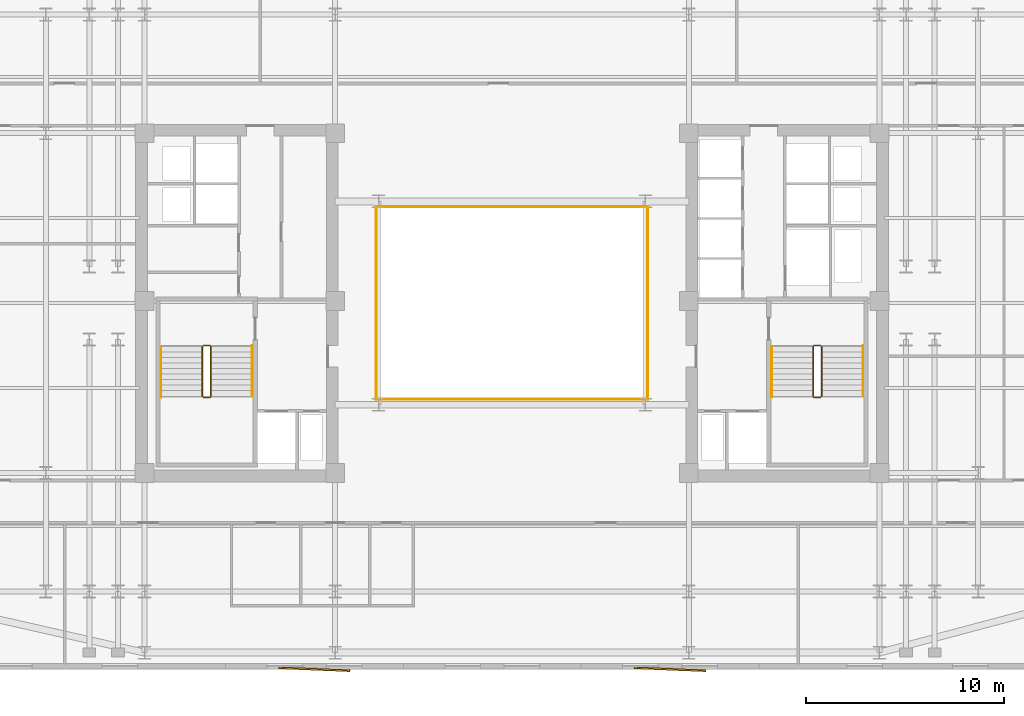
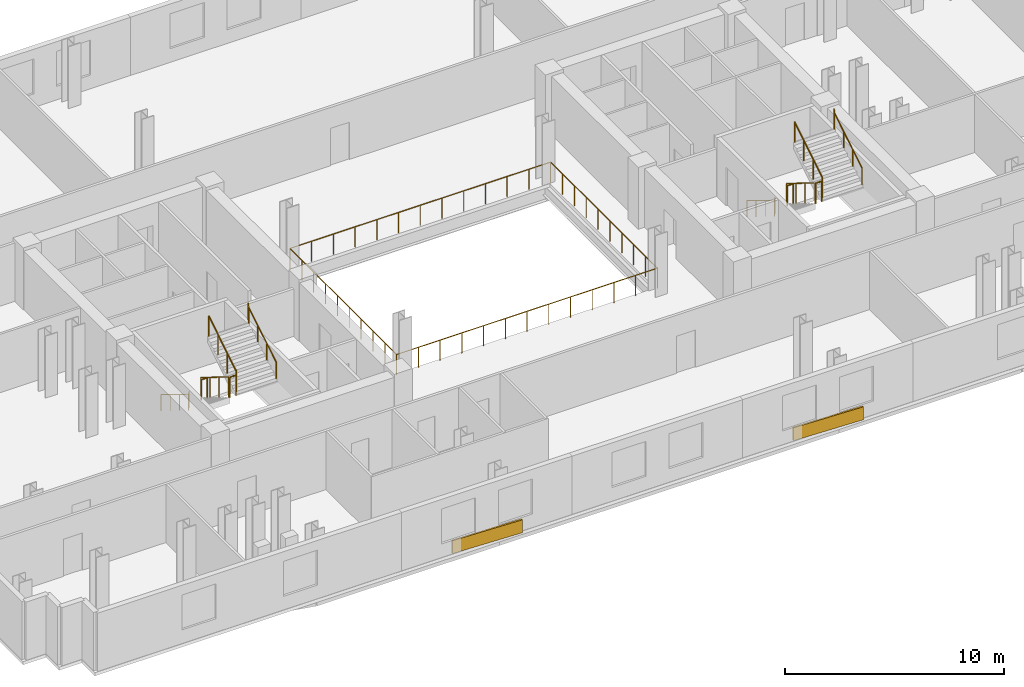
# One storey, part 9 of 10: 16 railings, 2 coverings.
"""IFC4 building model written with IfcOpenShell, lengths in metres."""

from ifc_helpers import new_model, si_unit, direction, frame, origin, origin_2d, place, context, subcontext, project, spatial, rectangle, circle, extrude, material, layer, layer_set, type_object, element, save


model = new_model("IFC4")

# Units and contexts
model_context = context("Model", 3, precision=1e-05, world=origin(), true_north=direction((0.0, 1.0)))
body_context = subcontext(model_context, "Body", "Model", "MODEL_VIEW")
ifc_project = project(units=[si_unit("LENGTHUNIT", "METRE"), si_unit("AREAUNIT", "SQUARE_METRE"), si_unit("VOLUMEUNIT", "CUBIC_METRE"), si_unit("PLANEANGLEUNIT", "RADIAN"), si_unit("MASSUNIT", "GRAM", prefix="KILO")], contexts=[model_context])

# Site, building, storey
site_placement = place(None, origin())
site = spatial("IfcSite", under=ifc_project, at=site_placement, CompositionType="ELEMENT")
building_placement = place(site_placement, origin())
building = spatial("IfcBuilding", under=site, at=building_placement, Name="Velakula Bourse", CompositionType="ELEMENT")
storey_placement = place(building_placement, frame((0.0, 0.0, 124.300048828125)))
storey = spatial("IfcBuildingStorey", under=building, at=storey_placement, Name="L33", CompositionType="ELEMENT", Elevation=124.300048828125)

# Coverings
ifc_material_1 = material(Name="Red kilned clay facing brick masonry", Category="masonry")
ifc_layer = layer(ifc_material_1, 0.090087890625, Name="Red kilned clay facing brick masonry", Category="masonry")
ifc_layer_set = layer_set([ifc_layer], Name="Red kilned clay facing brick masonry")
covering_type = type_object("IfcCoveringType", Name="COV-BRK-FOLD-90", PredefinedType="CLADDING", material=ifc_layer_set)
for number, where, z_axis, x_axis, name in (
    (1, (-10.0, -18.5400390625, 0.0), (0.0, 0.0, 1.0), (0.999158993058, -0.041003738744, 0.0), "L33 Folded Brick Facade Cladding Panel S-B2"),
    (2, (8.0, -18.5400390625, 0.0), (0.0, 0.0, 1.0), (0.999158993058, -0.041003738744, 0.0), "L33 Folded Brick Facade Cladding Panel S-B4"),
):
    element("IfcCovering", number, at=place(storey_placement, frame(where, z_axis=z_axis, x_axis=x_axis)), inside=storey, type_object=covering_type, Name=name, PredefinedType="CLADDING", context=body_context, shape_type="SweptSolid", body=[
        extrude(rectangle(XDim=3.60009765625, YDim=0.090087890625, at=origin_2d()), origin(), (0.0, 0.0, 1.0), 0.719970703125),
    ])

# Railings
ifc_material_2 = material(Name="Brushed grade 316 stainless steel", Category="steel")
railing_type_1 = type_object("IfcRailingType", Name="RLG-ATRIUM-1150", PredefinedType="BALUSTRADE", material=ifc_material_2)
railing_1_placement = place(storey_placement, frame((-6.8798828125, -4.8798828125, 0.0)))
element("IfcRailing", 3, at=railing_1_placement, inside=storey, type_object=railing_type_1, Name="L33 Central Trading Atrium Balustrade S", PredefinedType="BALUSTRADE", context=body_context, shape_type="SweptSolid", body=[
    extrude(circle(Radius=0.02392578125, at=origin_2d()), frame((0.0, 0.0, 1.1259765625), z_axis=(1.0, 0.0, 0.0), x_axis=(0.0, 1.0, 0.0)), (0.0, 0.0, 1.0), 13.759765625),
    extrude(circle(Radius=0.02099609375, at=origin_2d()), origin(), (0.0, 0.0, 1.0), 1.101806640625),
    extrude(circle(Radius=0.02099609375, at=origin_2d()), frame((1.146728515625, 0.0, 0.0)), (0.0, 0.0, 1.0), 1.101806640625),
    extrude(circle(Radius=0.02099609375, at=origin_2d()), frame((2.293212890625, 0.0, 0.0)), (0.0, 0.0, 1.0), 1.101806640625),
    extrude(circle(Radius=0.02099609375, at=origin_2d()), frame((3.43994140625, 0.0, 0.0)), (0.0, 0.0, 1.0), 1.101806640625),
    extrude(circle(Radius=0.02099609375, at=origin_2d()), frame((4.586669921875, 0.0, 0.0)), (0.0, 0.0, 1.0), 1.101806640625),
    extrude(circle(Radius=0.02099609375, at=origin_2d()), frame((5.733154296875, 0.0, 0.0)), (0.0, 0.0, 1.0), 1.101806640625),
    extrude(circle(Radius=0.02099609375, at=origin_2d()), frame((6.8798828125, 0.0, 0.0)), (0.0, 0.0, 1.0), 1.101806640625),
    extrude(circle(Radius=0.02099609375, at=origin_2d()), frame((8.026611328125, 0.0, 0.0)), (0.0, 0.0, 1.0), 1.101806640625),
    extrude(circle(Radius=0.02099609375, at=origin_2d()), frame((9.173095703125, 0.0, 0.0)), (0.0, 0.0, 1.0), 1.101806640625),
    extrude(circle(Radius=0.02099609375, at=origin_2d()), frame((10.31982421875, 0.0, 0.0)), (0.0, 0.0, 1.0), 1.101806640625),
    extrude(circle(Radius=0.02099609375, at=origin_2d()), frame((11.466552734375, 0.0, 0.0)), (0.0, 0.0, 1.0), 1.101806640625),
    extrude(circle(Radius=0.02099609375, at=origin_2d()), frame((12.613037109375, 0.0, 0.0)), (0.0, 0.0, 1.0), 1.101806640625),
    extrude(circle(Radius=0.02099609375, at=origin_2d()), frame((13.759765625, 0.0, 0.0)), (0.0, 0.0, 1.0), 1.101806640625),
])
railing_2_placement = place(storey_placement, frame((6.8798828125, -4.8798828125, 0.0)))
element("IfcRailing", 4, at=railing_2_placement, inside=storey, type_object=railing_type_1, Name="L33 Central Trading Atrium Balustrade E", PredefinedType="BALUSTRADE", context=body_context, shape_type="SweptSolid", body=[
    extrude(circle(Radius=0.02392578125, at=origin_2d()), frame((0.0, 0.0, 1.1259765625), z_axis=(0.0, 1.0, 0.0), x_axis=(-1.0, 0.0, 0.0)), (0.0, 0.0, 1.0), 9.759765625),
    extrude(circle(Radius=0.02099609375, at=origin_2d()), origin(), (0.0, 0.0, 1.0), 1.101806640625),
    extrude(circle(Radius=0.02099609375, at=origin_2d()), frame((0.0, 1.08447265625, 0.0)), (0.0, 0.0, 1.0), 1.101806640625),
    extrude(circle(Radius=0.02099609375, at=origin_2d()), frame((0.0, 2.1689453125, 0.0)), (0.0, 0.0, 1.0), 1.101806640625),
    extrude(circle(Radius=0.02099609375, at=origin_2d()), frame((0.0, 3.253173828125, 0.0)), (0.0, 0.0, 1.0), 1.101806640625),
    extrude(circle(Radius=0.02099609375, at=origin_2d()), frame((0.0, 4.337646484375, 0.0)), (0.0, 0.0, 1.0), 1.101806640625),
    extrude(circle(Radius=0.02099609375, at=origin_2d()), frame((0.0, 5.422119140625, 0.0)), (0.0, 0.0, 1.0), 1.101806640625),
    extrude(circle(Radius=0.02099609375, at=origin_2d()), frame((0.0, 6.506591796875, 0.0)), (0.0, 0.0, 1.0), 1.101806640625),
    extrude(circle(Radius=0.02099609375, at=origin_2d()), frame((0.0, 7.5908203125, 0.0)), (0.0, 0.0, 1.0), 1.101806640625),
    extrude(circle(Radius=0.02099609375, at=origin_2d()), frame((0.0, 8.67529296875, 0.0)), (0.0, 0.0, 1.0), 1.101806640625),
    extrude(circle(Radius=0.02099609375, at=origin_2d()), frame((0.0, 9.759765625, 0.0)), (0.0, 0.0, 1.0), 1.101806640625),
])
railing_3_placement = place(storey_placement, frame((6.8798828125, 4.8798828125, 0.0)))
element("IfcRailing", 5, at=railing_3_placement, inside=storey, type_object=railing_type_1, Name="L33 Central Trading Atrium Balustrade N", PredefinedType="BALUSTRADE", context=body_context, shape_type="SweptSolid", body=[
    extrude(circle(Radius=0.02392578125, at=origin_2d()), frame((0.0, 0.0, 1.1259765625), z_axis=(-1.0, 0.0, 0.0), x_axis=(0.0, -1.0, 0.0)), (0.0, 0.0, 1.0), 13.759765625),
    extrude(circle(Radius=0.02099609375, at=origin_2d()), origin(), (0.0, 0.0, 1.0), 1.101806640625),
    extrude(circle(Radius=0.02099609375, at=origin_2d()), frame((-1.146728515625, 0.0, 0.0)), (0.0, 0.0, 1.0), 1.101806640625),
    extrude(circle(Radius=0.02099609375, at=origin_2d()), frame((-2.293212890625, 0.0, 0.0)), (0.0, 0.0, 1.0), 1.101806640625),
    extrude(circle(Radius=0.02099609375, at=origin_2d()), frame((-3.43994140625, 0.0, 0.0)), (0.0, 0.0, 1.0), 1.101806640625),
    extrude(circle(Radius=0.02099609375, at=origin_2d()), frame((-4.586669921875, 0.0, 0.0)), (0.0, 0.0, 1.0), 1.101806640625),
    extrude(circle(Radius=0.02099609375, at=origin_2d()), frame((-5.733154296875, 0.0, 0.0)), (0.0, 0.0, 1.0), 1.101806640625),
    extrude(circle(Radius=0.02099609375, at=origin_2d()), frame((-6.8798828125, 0.0, 0.0)), (0.0, 0.0, 1.0), 1.101806640625),
    extrude(circle(Radius=0.02099609375, at=origin_2d()), frame((-8.026611328125, 0.0, 0.0)), (0.0, 0.0, 1.0), 1.101806640625),
    extrude(circle(Radius=0.02099609375, at=origin_2d()), frame((-9.173095703125, 0.0, 0.0)), (0.0, 0.0, 1.0), 1.101806640625),
    extrude(circle(Radius=0.02099609375, at=origin_2d()), frame((-10.31982421875, 0.0, 0.0)), (0.0, 0.0, 1.0), 1.101806640625),
    extrude(circle(Radius=0.02099609375, at=origin_2d()), frame((-11.466552734375, 0.0, 0.0)), (0.0, 0.0, 1.0), 1.101806640625),
    extrude(circle(Radius=0.02099609375, at=origin_2d()), frame((-12.613037109375, 0.0, 0.0)), (0.0, 0.0, 1.0), 1.101806640625),
    extrude(circle(Radius=0.02099609375, at=origin_2d()), frame((-13.759765625, 0.0, 0.0)), (0.0, 0.0, 1.0), 1.101806640625),
])
railing_4_placement = place(storey_placement, frame((-6.8798828125, 4.8798828125, 0.0)))
element("IfcRailing", 6, at=railing_4_placement, inside=storey, type_object=railing_type_1, Name="L33 Central Trading Atrium Balustrade W", PredefinedType="BALUSTRADE", context=body_context, shape_type="SweptSolid", body=[
    extrude(circle(Radius=0.02392578125, at=origin_2d()), frame((0.0, 0.0, 1.1259765625), z_axis=(0.0, -1.0, 0.0), x_axis=(1.0, 0.0, 0.0)), (0.0, 0.0, 1.0), 9.759765625),
    extrude(circle(Radius=0.02099609375, at=origin_2d()), origin(), (0.0, 0.0, 1.0), 1.101806640625),
    extrude(circle(Radius=0.02099609375, at=origin_2d()), frame((0.0, -1.08447265625, 0.0)), (0.0, 0.0, 1.0), 1.101806640625),
    extrude(circle(Radius=0.02099609375, at=origin_2d()), frame((0.0, -2.1689453125, 0.0)), (0.0, 0.0, 1.0), 1.101806640625),
    extrude(circle(Radius=0.02099609375, at=origin_2d()), frame((0.0, -3.253173828125, 0.0)), (0.0, 0.0, 1.0), 1.101806640625),
    extrude(circle(Radius=0.02099609375, at=origin_2d()), frame((0.0, -4.337646484375, 0.0)), (0.0, 0.0, 1.0), 1.101806640625),
    extrude(circle(Radius=0.02099609375, at=origin_2d()), frame((0.0, -5.422119140625, 0.0)), (0.0, 0.0, 1.0), 1.101806640625),
    extrude(circle(Radius=0.02099609375, at=origin_2d()), frame((0.0, -6.506591796875, 0.0)), (0.0, 0.0, 1.0), 1.101806640625),
    extrude(circle(Radius=0.02099609375, at=origin_2d()), frame((0.0, -7.5908203125, 0.0)), (0.0, 0.0, 1.0), 1.101806640625),
    extrude(circle(Radius=0.02099609375, at=origin_2d()), frame((0.0, -8.67529296875, 0.0)), (0.0, 0.0, 1.0), 1.101806640625),
    extrude(circle(Radius=0.02099609375, at=origin_2d()), frame((0.0, -9.759765625, 0.0)), (0.0, 0.0, 1.0), 1.101806640625),
])
railing_type_2 = type_object("IfcRailingType", Name="RLG-STAIR-GUARD-1150", PredefinedType="BALUSTRADE", material=ifc_material_2)
railing_5_placement = place(storey_placement, frame((-15.672119140625, -2.199951171875, 0.17236328125)))
element("IfcRailing", 7, at=railing_5_placement, inside=storey, type_object=railing_type_2, Name="L33 ST-W1 stair guard 1", PredefinedType="BALUSTRADE", context=body_context, shape_type="SweptSolid", body=[
    extrude(circle(Radius=0.02490234375, at=origin_2d()), frame((0.0, 0.0, 1.125), z_axis=(0.0, -0.851400495292, 0.524516154772), x_axis=(1.0, 0.0, 0.0)), (0.0, 0.0, 1.0), 2.9599609375),
    extrude(circle(Radius=0.02099609375, at=origin_2d()), origin(), (0.0, 0.0, 1.0), 1.099853515625),
    extrude(circle(Radius=0.02099609375, at=origin_2d()), frame((0.0, -0.840087890625, 0.517578125)), (0.0, 0.0, 1.0), 1.099853515625),
    extrude(circle(Radius=0.02099609375, at=origin_2d()), frame((0.0, -1.679931640625, 1.034912109375)), (0.0, 0.0, 1.0), 1.099853515625),
    extrude(circle(Radius=0.02099609375, at=origin_2d()), frame((0.0, -2.52001953125, 1.552490234375)), (0.0, 0.0, 1.0), 1.099853515625),
])
railing_6_placement = place(storey_placement, frame((-15.6220703125, -4.77001953125, 1.724853515625)))
element("IfcRailing", 8, at=railing_6_placement, inside=storey, type_object=railing_type_2, Name="L33 ST-W1 stair guard 2", PredefinedType="BALUSTRADE", context=body_context, shape_type="SweptSolid", body=[
    extrude(circle(Radius=0.02490234375, at=origin_2d()), frame((0.0, 0.0, 1.125), z_axis=(1.0, 0.0, 0.0), x_axis=(0.0, 1.0, 0.0)), (0.0, 0.0, 1.0), 0.323974609375),
    extrude(circle(Radius=0.02099609375, at=origin_2d()), origin(), (0.0, 0.0, 1.0), 1.099853515625),
    extrude(circle(Radius=0.02099609375, at=origin_2d()), frame((0.323974609375, 0.0, 0.0)), (0.0, 0.0, 1.0), 1.099853515625),
])
railing_7_placement = place(storey_placement, frame((-15.248046875, -4.719970703125, 1.8974609375)))
element("IfcRailing", 9, at=railing_7_placement, inside=storey, type_object=railing_type_2, Name="L33 ST-W1 stair guard 3", PredefinedType="BALUSTRADE", context=body_context, shape_type="SweptSolid", body=[
    extrude(circle(Radius=0.02490234375, at=origin_2d()), frame((0.0, 0.0, 1.125), z_axis=(0.0, 0.851400495292, 0.524516154772), x_axis=(-1.0, 0.0, 0.0)), (0.0, 0.0, 1.0), 2.9599609375),
    extrude(circle(Radius=0.02099609375, at=origin_2d()), origin(), (0.0, 0.0, 1.0), 1.099853515625),
    extrude(circle(Radius=0.02099609375, at=origin_2d()), frame((0.0, 0.840087890625, 0.517578125)), (0.0, 0.0, 1.0), 1.099853515625),
    extrude(circle(Radius=0.02099609375, at=origin_2d()), frame((0.0, 1.679931640625, 1.034912109375)), (0.0, 0.0, 1.0), 1.099853515625),
    extrude(circle(Radius=0.02099609375, at=origin_2d()), frame((0.0, 2.52001953125, 1.552490234375)), (0.0, 0.0, 1.0), 1.099853515625),
])
railing_8_placement = place(storey_placement, frame((-15.6220703125, -2.14990234375, 0.0)))
element("IfcRailing", 10, at=railing_8_placement, inside=storey, type_object=railing_type_2, Name="L33 ST-W1 stair guard 4", PredefinedType="BALUSTRADE", context=body_context, shape_type="SweptSolid", body=[
    extrude(circle(Radius=0.02490234375, at=origin_2d()), frame((0.0, 0.0, 1.125), z_axis=(1.0, 0.0, 0.0), x_axis=(0.0, 1.0, 0.0)), (0.0, 0.0, 1.0), 0.323974609375),
    extrude(circle(Radius=0.02099609375, at=origin_2d()), origin(), (0.0, 0.0, 1.0), 1.099853515625),
    extrude(circle(Radius=0.02099609375, at=origin_2d()), frame((0.323974609375, 0.0, 0.0)), (0.0, 0.0, 1.0), 1.099853515625),
])
railing_9_placement = place(storey_placement, frame((15.248046875, -2.199951171875, 0.17236328125)))
element("IfcRailing", 11, at=railing_9_placement, inside=storey, type_object=railing_type_2, Name="L33 ST-E1 stair guard 1", PredefinedType="BALUSTRADE", context=body_context, shape_type="SweptSolid", body=[
    extrude(circle(Radius=0.02490234375, at=origin_2d()), frame((0.0, 0.0, 1.125), z_axis=(0.0, -0.851400495292, 0.524516154772), x_axis=(1.0, 0.0, 0.0)), (0.0, 0.0, 1.0), 2.9599609375),
    extrude(circle(Radius=0.02099609375, at=origin_2d()), origin(), (0.0, 0.0, 1.0), 1.099853515625),
    extrude(circle(Radius=0.02099609375, at=origin_2d()), frame((0.0, -0.840087890625, 0.517578125)), (0.0, 0.0, 1.0), 1.099853515625),
    extrude(circle(Radius=0.02099609375, at=origin_2d()), frame((0.0, -1.679931640625, 1.034912109375)), (0.0, 0.0, 1.0), 1.099853515625),
    extrude(circle(Radius=0.02099609375, at=origin_2d()), frame((0.0, -2.52001953125, 1.552490234375)), (0.0, 0.0, 1.0), 1.099853515625),
])
railing_10_placement = place(storey_placement, frame((15.298095703125, -4.77001953125, 1.724853515625)))
element("IfcRailing", 12, at=railing_10_placement, inside=storey, type_object=railing_type_2, Name="L33 ST-E1 stair guard 2", PredefinedType="BALUSTRADE", context=body_context, shape_type="SweptSolid", body=[
    extrude(circle(Radius=0.02490234375, at=origin_2d()), frame((0.0, 0.0, 1.125), z_axis=(1.0, 0.0, 0.0), x_axis=(0.0, 1.0, 0.0)), (0.0, 0.0, 1.0), 0.323974609375),
    extrude(circle(Radius=0.02099609375, at=origin_2d()), origin(), (0.0, 0.0, 1.0), 1.099853515625),
    extrude(circle(Radius=0.02099609375, at=origin_2d()), frame((0.323974609375, 0.0, 0.0)), (0.0, 0.0, 1.0), 1.099853515625),
])
railing_11_placement = place(storey_placement, frame((15.672119140625, -4.719970703125, 1.8974609375)))
element("IfcRailing", 13, at=railing_11_placement, inside=storey, type_object=railing_type_2, Name="L33 ST-E1 stair guard 3", PredefinedType="BALUSTRADE", context=body_context, shape_type="SweptSolid", body=[
    extrude(circle(Radius=0.02490234375, at=origin_2d()), frame((0.0, 0.0, 1.125), z_axis=(0.0, 0.851400495292, 0.524516154772), x_axis=(-1.0, 0.0, 0.0)), (0.0, 0.0, 1.0), 2.9599609375),
    extrude(circle(Radius=0.02099609375, at=origin_2d()), origin(), (0.0, 0.0, 1.0), 1.099853515625),
    extrude(circle(Radius=0.02099609375, at=origin_2d()), frame((0.0, 0.840087890625, 0.517578125)), (0.0, 0.0, 1.0), 1.099853515625),
    extrude(circle(Radius=0.02099609375, at=origin_2d()), frame((0.0, 1.679931640625, 1.034912109375)), (0.0, 0.0, 1.0), 1.099853515625),
    extrude(circle(Radius=0.02099609375, at=origin_2d()), frame((0.0, 2.52001953125, 1.552490234375)), (0.0, 0.0, 1.0), 1.099853515625),
])
railing_12_placement = place(storey_placement, frame((15.298095703125, -2.14990234375, 0.0)))
element("IfcRailing", 14, at=railing_12_placement, inside=storey, type_object=railing_type_2, Name="L33 ST-E1 stair guard 4", PredefinedType="BALUSTRADE", context=body_context, shape_type="SweptSolid", body=[
    extrude(circle(Radius=0.02490234375, at=origin_2d()), frame((0.0, 0.0, 1.125), z_axis=(1.0, 0.0, 0.0), x_axis=(0.0, 1.0, 0.0)), (0.0, 0.0, 1.0), 0.323974609375),
    extrude(circle(Radius=0.02099609375, at=origin_2d()), origin(), (0.0, 0.0, 1.0), 1.099853515625),
    extrude(circle(Radius=0.02099609375, at=origin_2d()), frame((0.323974609375, 0.0, 0.0)), (0.0, 0.0, 1.0), 1.099853515625),
])
railing_type_3 = type_object("IfcRailingType", Name="RLG-STAIR-HAND-920", PredefinedType="HANDRAIL", material=ifc_material_2)
railing_13_placement = place(storey_placement, frame((-17.77001953125, -2.199951171875, 0.17236328125)))
element("IfcRailing", 15, at=railing_13_placement, inside=storey, type_object=railing_type_3, Name="L33 ST-W1 stair handrail 1", PredefinedType="HANDRAIL", context=body_context, shape_type="SweptSolid", body=[
    extrude(circle(Radius=0.02099609375, at=origin_2d()), frame((0.0, 0.0, 0.89892578125), z_axis=(0.0, -0.851400495292, 0.524516154772), x_axis=(1.0, 0.0, 0.0)), (0.0, 0.0, 1.0), 2.9599609375),
    extrude(circle(Radius=0.02099609375, at=origin_2d()), frame((0.0, -2.52001953125, 2.451416015625), z_axis=(0.0, -0.22596628056, 0.974135124123), x_axis=(1.0, 0.0, 0.0)), (0.0, 0.0, 1.0), 0.17724609375),
    extrude(circle(Radius=0.02099609375, at=origin_2d()), frame((0.0, -2.56005859375, 2.6240234375), z_axis=(0.0, -1.0, 0.0), x_axis=(1.0, 0.0, 0.0)), (0.0, 0.0, 1.0), 0.0048828125),
    extrude(circle(Radius=0.02099609375, at=origin_2d()), origin(), (0.0, 0.0, 1.0), 0.8779296875),
    extrude(circle(Radius=0.02099609375, at=origin_2d()), frame((0.0, -0.840087890625, 0.517578125)), (0.0, 0.0, 1.0), 0.8779296875),
    extrude(circle(Radius=0.02099609375, at=origin_2d()), frame((0.0, -1.679931640625, 1.034912109375)), (0.0, 0.0, 1.0), 0.8779296875),
    extrude(circle(Radius=0.02099609375, at=origin_2d()), frame((0.0, -2.52001953125, 1.552490234375)), (0.0, 0.0, 1.0), 0.8779296875),
    extrude(circle(Radius=0.02099609375, at=origin_2d()), frame((0.0, -2.56005859375, 1.72509765625)), (0.0, 0.0, 1.0), 0.8779296875),
    extrude(circle(Radius=0.02099609375, at=origin_2d()), frame((0.0, -2.56494140625, 1.72509765625)), (0.0, 0.0, 1.0), 0.8779296875),
])
railing_14_placement = place(storey_placement, frame((-13.14990234375, -4.719970703125, 1.8974609375)))
element("IfcRailing", 16, at=railing_14_placement, inside=storey, type_object=railing_type_3, Name="L33 ST-W1 stair handrail 2", PredefinedType="HANDRAIL", context=body_context, shape_type="SweptSolid", body=[
    extrude(circle(Radius=0.02099609375, at=origin_2d()), frame((0.0, 0.0, 0.89892578125), z_axis=(0.0, 0.851400495292, 0.524516154772), x_axis=(-1.0, 0.0, 0.0)), (0.0, 0.0, 1.0), 2.9599609375),
    extrude(circle(Radius=0.02099609375, at=origin_2d()), frame((0.0, 2.52001953125, 2.451416015625), z_axis=(0.0, 0.22596628056, 0.974135124123), x_axis=(-1.0, 0.0, 0.0)), (0.0, 0.0, 1.0), 0.17724609375),
    extrude(circle(Radius=0.02099609375, at=origin_2d()), frame((0.0, 2.56005859375, 2.6240234375), z_axis=(0.0, 1.0, 0.0), x_axis=(-1.0, 0.0, 0.0)), (0.0, 0.0, 1.0), 0.0048828125),
    extrude(circle(Radius=0.02099609375, at=origin_2d()), origin(), (0.0, 0.0, 1.0), 0.8779296875),
    extrude(circle(Radius=0.02099609375, at=origin_2d()), frame((0.0, 0.840087890625, 0.517578125)), (0.0, 0.0, 1.0), 0.8779296875),
    extrude(circle(Radius=0.02099609375, at=origin_2d()), frame((0.0, 1.679931640625, 1.034912109375)), (0.0, 0.0, 1.0), 0.8779296875),
    extrude(circle(Radius=0.02099609375, at=origin_2d()), frame((0.0, 2.52001953125, 1.552490234375)), (0.0, 0.0, 1.0), 0.8779296875),
    extrude(circle(Radius=0.02099609375, at=origin_2d()), frame((0.0, 2.56005859375, 1.72509765625)), (0.0, 0.0, 1.0), 0.8779296875),
    extrude(circle(Radius=0.02099609375, at=origin_2d()), frame((0.0, 2.56494140625, 1.72509765625)), (0.0, 0.0, 1.0), 0.8779296875),
])
railing_15_placement = place(storey_placement, frame((13.14990234375, -2.199951171875, 0.17236328125)))
element("IfcRailing", 17, at=railing_15_placement, inside=storey, type_object=railing_type_3, Name="L33 ST-E1 stair handrail 1", PredefinedType="HANDRAIL", context=body_context, shape_type="SweptSolid", body=[
    extrude(circle(Radius=0.02099609375, at=origin_2d()), frame((0.0, 0.0, 0.89892578125), z_axis=(0.0, -0.851400495292, 0.524516154772), x_axis=(1.0, 0.0, 0.0)), (0.0, 0.0, 1.0), 2.9599609375),
    extrude(circle(Radius=0.02099609375, at=origin_2d()), frame((0.0, -2.52001953125, 2.451416015625), z_axis=(0.0, -0.22596628056, 0.974135124123), x_axis=(1.0, 0.0, 0.0)), (0.0, 0.0, 1.0), 0.17724609375),
    extrude(circle(Radius=0.02099609375, at=origin_2d()), frame((0.0, -2.56005859375, 2.6240234375), z_axis=(0.0, -1.0, 0.0), x_axis=(1.0, 0.0, 0.0)), (0.0, 0.0, 1.0), 0.0048828125),
    extrude(circle(Radius=0.02099609375, at=origin_2d()), origin(), (0.0, 0.0, 1.0), 0.8779296875),
    extrude(circle(Radius=0.02099609375, at=origin_2d()), frame((0.0, -0.840087890625, 0.517578125)), (0.0, 0.0, 1.0), 0.8779296875),
    extrude(circle(Radius=0.02099609375, at=origin_2d()), frame((0.0, -1.679931640625, 1.034912109375)), (0.0, 0.0, 1.0), 0.8779296875),
    extrude(circle(Radius=0.02099609375, at=origin_2d()), frame((0.0, -2.52001953125, 1.552490234375)), (0.0, 0.0, 1.0), 0.8779296875),
    extrude(circle(Radius=0.02099609375, at=origin_2d()), frame((0.0, -2.56005859375, 1.72509765625)), (0.0, 0.0, 1.0), 0.8779296875),
    extrude(circle(Radius=0.02099609375, at=origin_2d()), frame((0.0, -2.56494140625, 1.72509765625)), (0.0, 0.0, 1.0), 0.8779296875),
])
railing_16_placement = place(storey_placement, frame((17.77001953125, -4.719970703125, 1.8974609375)))
element("IfcRailing", 18, at=railing_16_placement, inside=storey, type_object=railing_type_3, Name="L33 ST-E1 stair handrail 2", PredefinedType="HANDRAIL", context=body_context, shape_type="SweptSolid", body=[
    extrude(circle(Radius=0.02099609375, at=origin_2d()), frame((0.0, 0.0, 0.89892578125), z_axis=(0.0, 0.851400495292, 0.524516154772), x_axis=(-1.0, 0.0, 0.0)), (0.0, 0.0, 1.0), 2.9599609375),
    extrude(circle(Radius=0.02099609375, at=origin_2d()), frame((0.0, 2.52001953125, 2.451416015625), z_axis=(0.0, 0.22596628056, 0.974135124123), x_axis=(-1.0, 0.0, 0.0)), (0.0, 0.0, 1.0), 0.17724609375),
    extrude(circle(Radius=0.02099609375, at=origin_2d()), frame((0.0, 2.56005859375, 2.6240234375), z_axis=(0.0, 1.0, 0.0), x_axis=(-1.0, 0.0, 0.0)), (0.0, 0.0, 1.0), 0.0048828125),
    extrude(circle(Radius=0.02099609375, at=origin_2d()), origin(), (0.0, 0.0, 1.0), 0.8779296875),
    extrude(circle(Radius=0.02099609375, at=origin_2d()), frame((0.0, 0.840087890625, 0.517578125)), (0.0, 0.0, 1.0), 0.8779296875),
    extrude(circle(Radius=0.02099609375, at=origin_2d()), frame((0.0, 1.679931640625, 1.034912109375)), (0.0, 0.0, 1.0), 0.8779296875),
    extrude(circle(Radius=0.02099609375, at=origin_2d()), frame((0.0, 2.52001953125, 1.552490234375)), (0.0, 0.0, 1.0), 0.8779296875),
    extrude(circle(Radius=0.02099609375, at=origin_2d()), frame((0.0, 2.56005859375, 1.72509765625)), (0.0, 0.0, 1.0), 0.8779296875),
    extrude(circle(Radius=0.02099609375, at=origin_2d()), frame((0.0, 2.56494140625, 1.72509765625)), (0.0, 0.0, 1.0), 0.8779296875),
])

save(model, "model.ifc")
